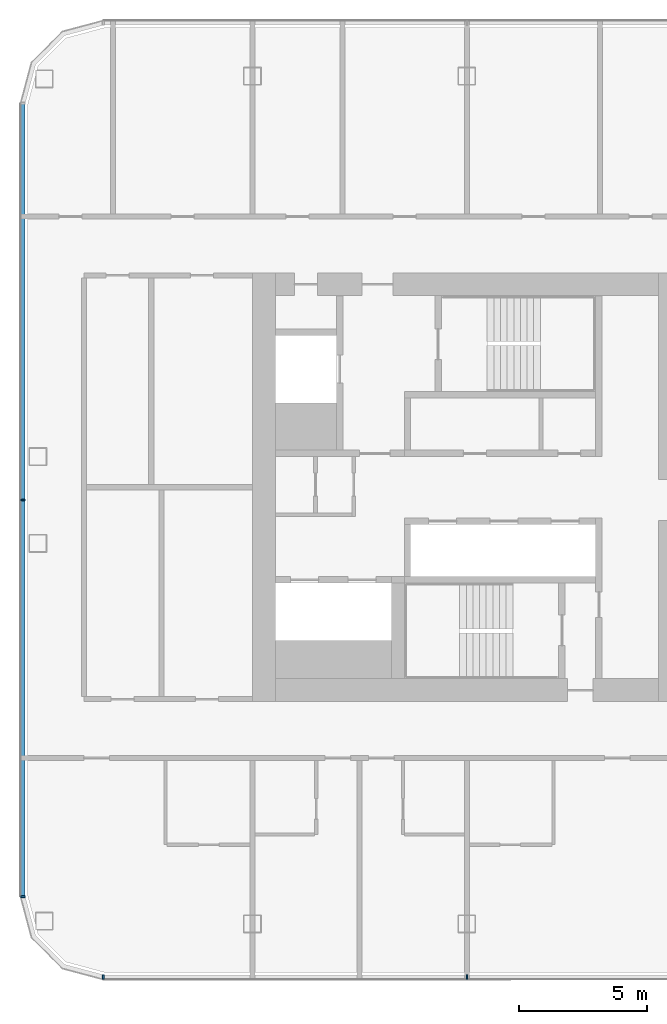
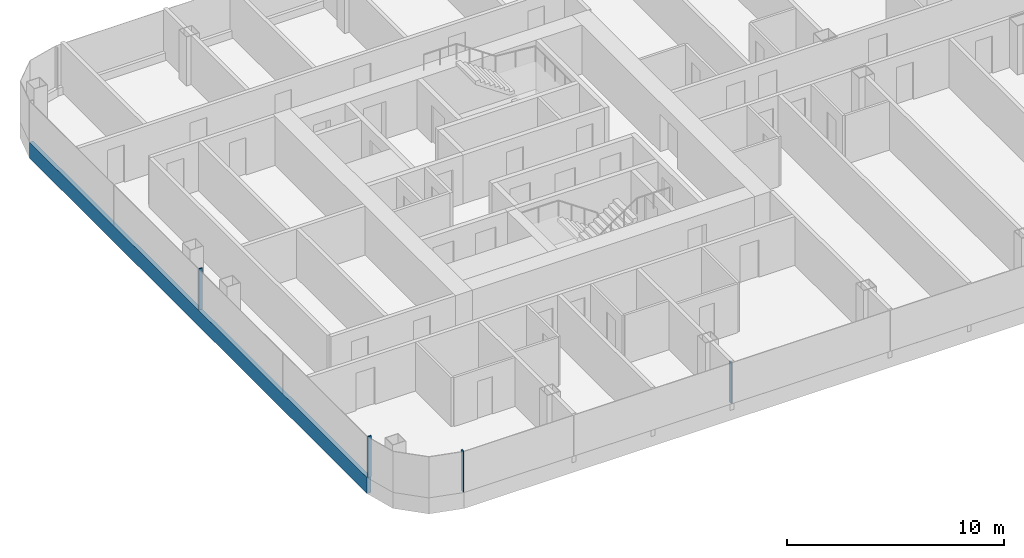
# One storey, part 2 of 26: 5 members, 2 elements without a shape of their own.
"""IFC4 building model written with IfcOpenShell, lengths in metres."""

from ifc_helpers import new_model, si_unit, direction, frame, origin, origin_2d, place, context, subcontext, project, spatial, rectangle, extrude, material, layer, layer_set, material_profile, profile_set, type_object, element, aggregate, save


model = new_model("IFC4")

# Units and contexts
model_context = context("Model", 3, precision=1e-05, world=origin(), true_north=direction((0.0, 1.0)))
body_context = subcontext(model_context, "Body", "Model", "MODEL_VIEW")
ifc_project = project(units=[si_unit("LENGTHUNIT", "METRE"), si_unit("AREAUNIT", "SQUARE_METRE"), si_unit("VOLUMEUNIT", "CUBIC_METRE"), si_unit("PLANEANGLEUNIT", "RADIAN"), si_unit("MASSUNIT", "GRAM", prefix="KILO")], contexts=[model_context])

# Site, building, storey
site_placement = place(None, origin())
site = spatial("IfcSite", under=ifc_project, at=site_placement, CompositionType="ELEMENT")
building_placement = place(site_placement, origin())
building = spatial("IfcBuilding", under=site, at=building_placement, Name="Hakoniwa Tower and Hamabe Station Hall", CompositionType="ELEMENT")
storey_placement = place(building_placement, frame((0.0, 0.0, 156.60009765625)))
storey = spatial("IfcBuildingStorey", under=building, at=storey_placement, Name="L44", CompositionType="ELEMENT", Elevation=156.60009765625)

# Curtain wall, members
ifc_material_1 = material(Name="Dark low-e laminated glass", Category="glass")
ifc_layer = layer(ifc_material_1, 0.199951171875)
ifc_layer_set = layer_set([ifc_layer], Name="CW-1 UNITISED GUEST")
curtain_wall_type = type_object("IfcCurtainWallType", Name="CW-1 UNITISED GUEST", PredefinedType="NOTDEFINED", material=ifc_layer_set)
curtain_wall_1_placement = place(storey_placement, origin())
curtain_wall_1 = element("IfcCurtainWall", 1, at=curtain_wall_1_placement, inside=storey, type_object=curtain_wall_type, Name="CW-1 curtain wall", PredefinedType="NOTDEFINED")
ifc_material_2 = material(Name="Aluminium 6063-T5 black anodised", Category="aluminium")
ifc_material_profile_1 = material_profile(ifc_material_2, rectangle(XDim=0.199951171875, YDim=0.89990234375, at=origin_2d()), Name="CW SLAB-EDGE BAND 900X200")
ifc_profile_set_1 = profile_set([ifc_material_profile_1], Name="Aluminium 6063-T5 black anodised")
member_type_1 = type_object("IfcMemberType", Name="CW SLAB-EDGE BAND 900X200", PredefinedType="USERDEFINED", material=ifc_profile_set_1)
member_1_placement = place(storey_placement, frame((-42.60009765625, 15.03955078125, -0.10009765625), z_axis=(0.0, -1.0, 0.0), x_axis=(1.0, 0.0, 0.0)))
member_1 = element("IfcMember", 2, at=member_1_placement, type_object=member_type_1, Name="CW-1 transom", ObjectType="TRANSOM", PredefinedType="USERDEFINED", context=body_context, shape_type="SweptSolid", body=[
    extrude(rectangle(XDim=0.199951171875, YDim=0.89990234375, at=origin_2d()), origin(), (0.0, 0.0, 1.0), 31.0791015625),
])
ifc_material_3 = material(Name="Aluminium 6063-T5 black anodised", Category="aluminium")
ifc_material_profile_2 = material_profile(ifc_material_3, rectangle(XDim=0.06005859375, YDim=0.179931640625, at=origin_2d()), Name="CW-1 MULLION 60X180")
ifc_profile_set_2 = profile_set([ifc_material_profile_2], Name="Aluminium 6063-T5 black anodised")
member_type_2 = type_object("IfcMemberType", Name="CW-1 MULLION 60X180", PredefinedType="MULLION", material=ifc_profile_set_2)
member_2_placement = place(storey_placement, frame((-42.58203125, -0.5, 0.349853515625), z_axis=(0.0, 0.0, 1.0), x_axis=(0.0, -1.0, 0.0)))
member_2 = element("IfcMember", 3, at=member_2_placement, type_object=member_type_2, Name="CW-1 mullion", PredefinedType="MULLION", context=body_context, shape_type="SweptSolid", body=[
    extrude(rectangle(XDim=0.06005859375, YDim=0.179931640625, at=origin_2d()), origin(), (0.0, 0.0, 1.0), 2.300048828125),
])
member_3_placement = place(storey_placement, frame((-42.58203125, -16.03955078125, 0.349853515625), z_axis=(0.0, 0.0, 1.0), x_axis=(0.0, -1.0, 0.0)))
member_3 = element("IfcMember", 4, at=member_3_placement, type_object=member_type_2, Name="CW-1 mullion", PredefinedType="MULLION", context=body_context, shape_type="SweptSolid", body=[
    extrude(rectangle(XDim=0.06005859375, YDim=0.179931640625, at=origin_2d()), origin(), (0.0, 0.0, 1.0), 2.300048828125),
])
aggregate(curtain_wall_1, [member_2, member_3, member_1])

curtain_wall_2_placement = place(storey_placement, origin())
curtain_wall_2 = element("IfcCurtainWall", 5, at=curtain_wall_2_placement, inside=storey, type_object=curtain_wall_type, Name="CW-1 curtain wall", PredefinedType="NOTDEFINED")
member_4_placement = place(storey_placement, frame((-39.439453125, -19.181884765625, 0.349853515625), z_axis=(0.0, 0.0, 1.0), x_axis=(1.0, 0.0, 0.0)))
member_4 = element("IfcMember", 6, at=member_4_placement, type_object=member_type_2, Name="CW-1 mullion", PredefinedType="MULLION", context=body_context, shape_type="SweptSolid", body=[
    extrude(rectangle(XDim=0.06005859375, YDim=0.179931640625, at=origin_2d()), origin(), (0.0, 0.0, 1.0), 2.300048828125),
])
member_5_placement = place(storey_placement, frame((-25.199951171875, -19.181884765625, 0.349853515625), z_axis=(0.0, 0.0, 1.0), x_axis=(1.0, 0.0, 0.0)))
member_5 = element("IfcMember", 7, at=member_5_placement, type_object=member_type_2, Name="CW-1 mullion", PredefinedType="MULLION", context=body_context, shape_type="SweptSolid", body=[
    extrude(rectangle(XDim=0.06005859375, YDim=0.179931640625, at=origin_2d()), origin(), (0.0, 0.0, 1.0), 2.300048828125),
])
aggregate(curtain_wall_2, [member_4, member_5])

save(model, "model.ifc")
